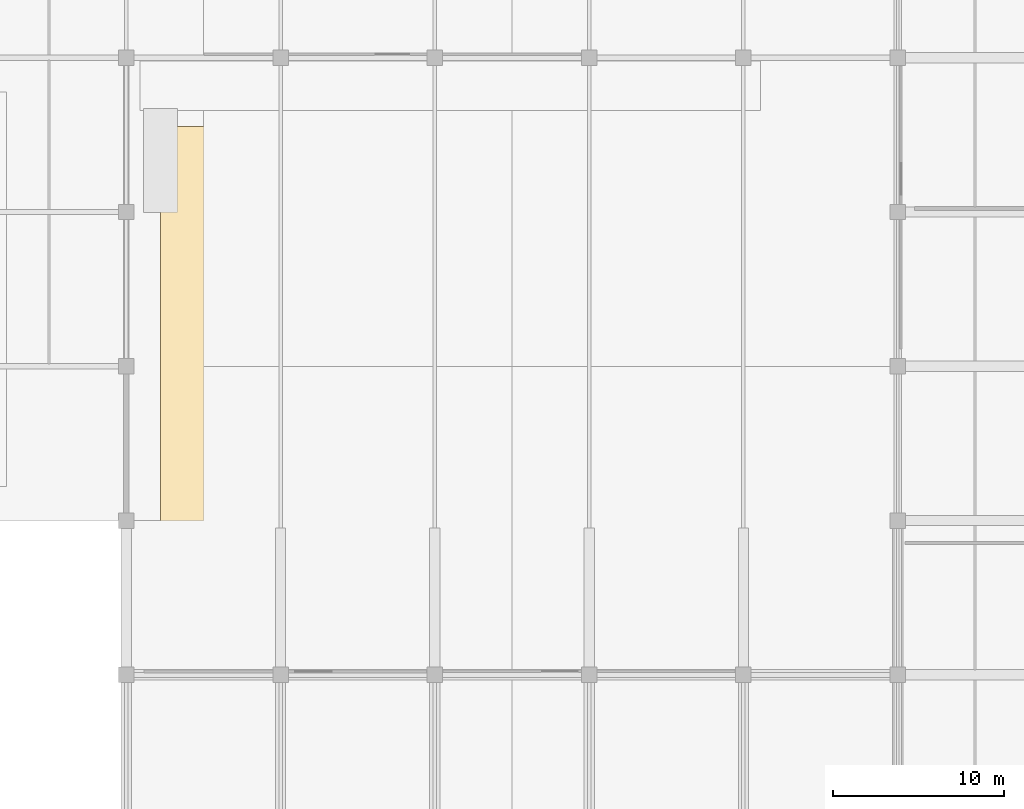
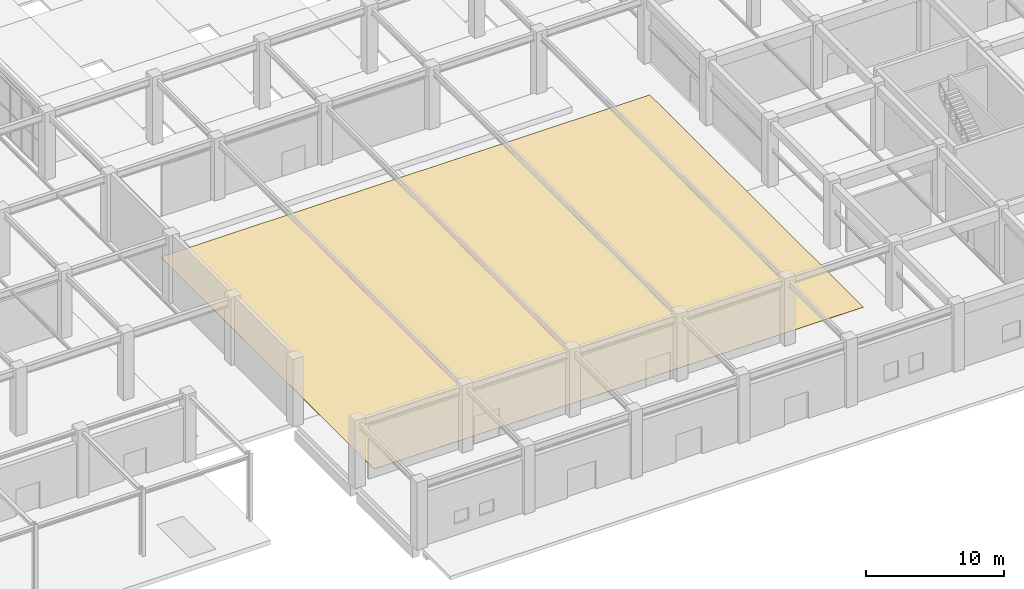
# One storey, part 85 of 91: 1 covering.
"""IFC4 building model written with IfcOpenShell, lengths in metres."""

from ifc_helpers import new_model, si_unit, direction, origin, place, context, subcontext, project, spatial, polyline, outline, extrude, material, layer, layer_set, type_object, element, save


model = new_model("IFC4")

# Units and contexts
model_context = context("Model", 3, precision=1e-05, world=origin(), true_north=direction((0.0, 1.0)))
body_context = subcontext(model_context, "Body", "Model", "MODEL_VIEW")
ifc_project = project(units=[si_unit("LENGTHUNIT", "METRE"), si_unit("AREAUNIT", "SQUARE_METRE"), si_unit("VOLUMEUNIT", "CUBIC_METRE"), si_unit("PLANEANGLEUNIT", "RADIAN"), si_unit("MASSUNIT", "GRAM", prefix="KILO")], contexts=[model_context])

# Site, building, storey
site_placement = place(None, origin())
site = spatial("IfcSite", under=ifc_project, at=site_placement, CompositionType="ELEMENT")
building_placement = place(site_placement, origin())
building = spatial("IfcBuilding", under=site, at=building_placement, Name="Dornveld Trade and Exhibition Forum", CompositionType="ELEMENT")
storey_placement = place(building_placement, origin())
storey = spatial("IfcBuildingStorey", under=building, at=storey_placement, Name="L00", CompositionType="ELEMENT", Elevation=0.0)

# Covering
ifc_material = material(Name="Acoustic woven wool congress flooring", Category="textile")
ifc_layer = layer(ifc_material, 0.01806640625)
ifc_layer_set = layer_set([ifc_layer], Name="Acoustic woven wool congress flooring")
covering_type = type_object("IfcCoveringType", Name="COV-FLR-CARP", PredefinedType="FLOORING", material=ifc_layer_set)
covering_placement = place(storey_placement, origin())
element("IfcCovering", 1, at=covering_placement, inside=storey, type_object=covering_type, Name="L00 architectural floor finish 3", PredefinedType="FLOORING", context=body_context, shape_type="SweptSolid", body=[
    extrude(outline(polyline([(155.0, 10.0), (196.0, 10.0), (196.0, 41.0), (155.0, 41.0), (155.0, 10.0)])), origin(), (0.0, 0.0, 1.0), 0.01806640625),
])

save(model, "model.ifc")
